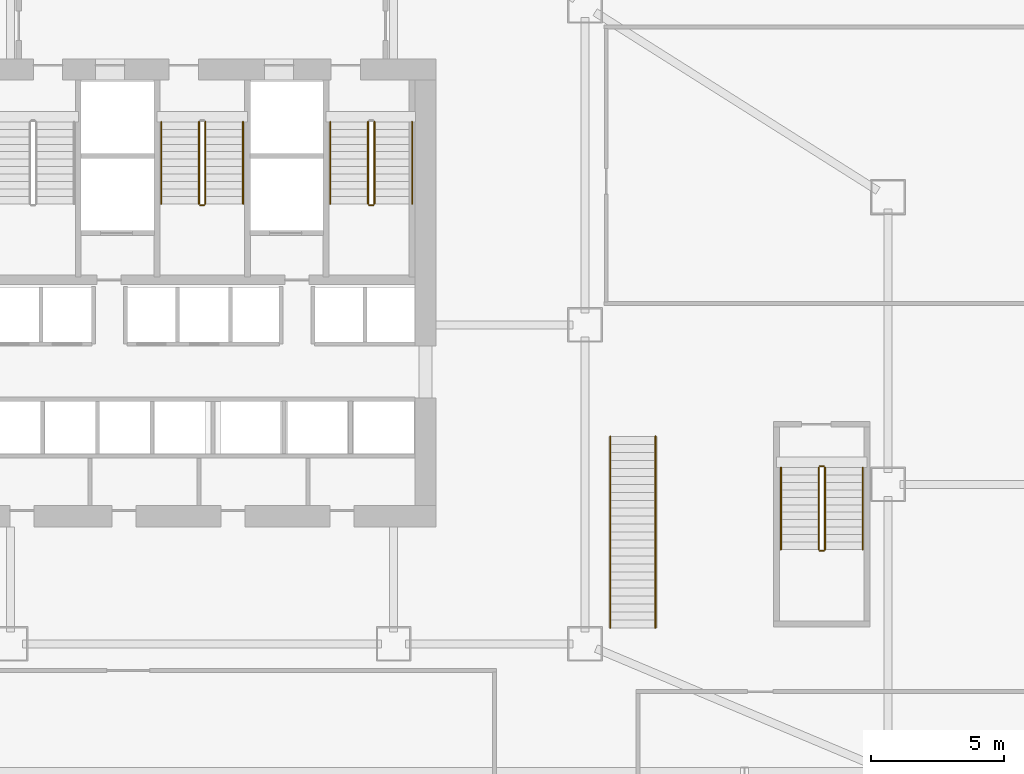
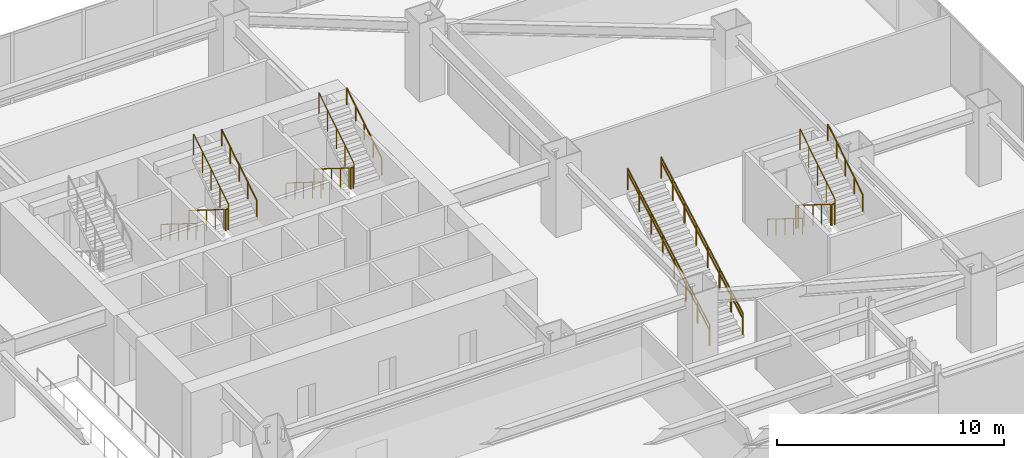
# One storey, part 29 of 32: 20 railings.
"""IFC4 building model written with IfcOpenShell, lengths in metres."""

from ifc_helpers import new_model, si_unit, direction, frame, origin, origin_2d, place, context, subcontext, project, spatial, circle, extrude, material, type_object, element, save


model = new_model("IFC4")

# Units and contexts
model_context = context("Model", 3, precision=1e-05, world=origin(), true_north=direction((0.0, 1.0)))
body_context = subcontext(model_context, "Body", "Model", "MODEL_VIEW")
ifc_project = project(units=[si_unit("LENGTHUNIT", "METRE"), si_unit("AREAUNIT", "SQUARE_METRE"), si_unit("VOLUMEUNIT", "CUBIC_METRE"), si_unit("PLANEANGLEUNIT", "RADIAN"), si_unit("MASSUNIT", "GRAM", prefix="KILO")], contexts=[model_context])

# Site, building, storey
site_placement = place(None, origin())
site = spatial("IfcSite", under=ifc_project, at=site_placement, CompositionType="ELEMENT")
building_placement = place(site_placement, origin())
building = spatial("IfcBuilding", under=site, at=building_placement, Name="Haolan Belvedere Tower", CompositionType="ELEMENT")
storey_placement = place(building_placement, frame((0.0, 0.0, 15.60009765625)))
storey = spatial("IfcBuildingStorey", under=building, at=storey_placement, Name="L03", CompositionType="ELEMENT", Elevation=15.60009765625)

# Railings
ifc_material = material(Name="Brushed stainless steel 304", Category="steel")
railing_type_1 = type_object("IfcRailingType", Name="RL-STAIR-GRD-1150", PredefinedType="GUARDRAIL", material=ifc_material)
railing_1_placement = place(storey_placement, frame((38.280029296875, 41.22998046875, 0.1748046875)))
element("IfcRailing", 1, at=railing_1_placement, inside=storey, type_object=railing_type_1, Name="L03 ST3 stair guard 1", PredefinedType="GUARDRAIL", context=body_context, shape_type="SweptSolid", body=[
    extrude(circle(Radius=0.02392578125, at=origin_2d()), frame((0.0, 0.0, 1.1259765625), z_axis=(0.0, -0.847998304005, 0.529998940003), x_axis=(1.0, 0.0, 0.0)), (0.0, 0.0, 1.0), 3.632080078125),
    extrude(circle(Radius=0.02099609375, at=origin_2d()), origin(), (0.0, 0.0, 1.0), 1.101806640625),
    extrude(circle(Radius=0.02099609375, at=origin_2d()), frame((0.0, -0.77001953125, 0.481201171875)), (0.0, 0.0, 1.0), 1.101806640625),
    extrude(circle(Radius=0.02099609375, at=origin_2d()), frame((0.0, -1.5400390625, 0.96240234375)), (0.0, 0.0, 1.0), 1.101806640625),
    extrude(circle(Radius=0.02099609375, at=origin_2d()), frame((0.0, -2.31005859375, 1.44384765625)), (0.0, 0.0, 1.0), 1.101806640625),
    extrude(circle(Radius=0.02099609375, at=origin_2d()), frame((0.0, -3.080078125, 1.925048828125)), (0.0, 0.0, 1.0), 1.101806640625),
])
railing_2_placement = place(storey_placement, frame((38.330078125, 38.10009765625, 2.099853515625)))
element("IfcRailing", 2, at=railing_2_placement, inside=storey, type_object=railing_type_1, Name="L03 ST3 stair guard 2", PredefinedType="GUARDRAIL", context=body_context, shape_type="SweptSolid", body=[
    extrude(circle(Radius=0.02392578125, at=origin_2d()), frame((0.0, 0.0, 1.1259765625), z_axis=(1.0, 0.0, 0.0), x_axis=(0.0, 1.0, 0.0)), (0.0, 0.0, 1.0), 0.139892578125),
    extrude(circle(Radius=0.02099609375, at=origin_2d()), origin(), (0.0, 0.0, 1.0), 1.101806640625),
    extrude(circle(Radius=0.02099609375, at=origin_2d()), frame((0.139892578125, 0.0, 0.0)), (0.0, 0.0, 1.0), 1.101806640625),
])
railing_3_placement = place(storey_placement, frame((38.52001953125, 38.14990234375, 2.27490234375)))
element("IfcRailing", 3, at=railing_3_placement, inside=storey, type_object=railing_type_1, Name="L03 ST3 stair guard 3", PredefinedType="GUARDRAIL", context=body_context, shape_type="SweptSolid", body=[
    extrude(circle(Radius=0.02392578125, at=origin_2d()), frame((0.0, 0.0, 1.1259765625), z_axis=(0.0, 0.847998304005, 0.529998940003), x_axis=(-1.0, 0.0, 0.0)), (0.0, 0.0, 1.0), 3.632080078125),
    extrude(circle(Radius=0.02099609375, at=origin_2d()), origin(), (0.0, 0.0, 1.0), 1.101806640625),
    extrude(circle(Radius=0.02099609375, at=origin_2d()), frame((0.0, 0.77001953125, 0.481201171875)), (0.0, 0.0, 1.0), 1.101806640625),
    extrude(circle(Radius=0.02099609375, at=origin_2d()), frame((0.0, 1.5400390625, 0.96240234375)), (0.0, 0.0, 1.0), 1.101806640625),
    extrude(circle(Radius=0.02099609375, at=origin_2d()), frame((0.0, 2.31005859375, 1.44384765625)), (0.0, 0.0, 1.0), 1.101806640625),
    extrude(circle(Radius=0.02099609375, at=origin_2d()), frame((0.0, 3.080078125, 1.925048828125)), (0.0, 0.0, 1.0), 1.101806640625),
])
railing_4_placement = place(storey_placement, frame((44.639892578125, 41.22998046875, 0.1748046875)))
element("IfcRailing", 4, at=railing_4_placement, inside=storey, type_object=railing_type_1, Name="L03 ST2 stair guard 1", PredefinedType="GUARDRAIL", context=body_context, shape_type="SweptSolid", body=[
    extrude(circle(Radius=0.02392578125, at=origin_2d()), frame((0.0, 0.0, 1.1259765625), z_axis=(0.0, -0.847998304005, 0.529998940003), x_axis=(1.0, 0.0, 0.0)), (0.0, 0.0, 1.0), 3.632080078125),
    extrude(circle(Radius=0.02099609375, at=origin_2d()), origin(), (0.0, 0.0, 1.0), 1.101806640625),
    extrude(circle(Radius=0.02099609375, at=origin_2d()), frame((0.0, -0.77001953125, 0.481201171875)), (0.0, 0.0, 1.0), 1.101806640625),
    extrude(circle(Radius=0.02099609375, at=origin_2d()), frame((0.0, -1.5400390625, 0.96240234375)), (0.0, 0.0, 1.0), 1.101806640625),
    extrude(circle(Radius=0.02099609375, at=origin_2d()), frame((0.0, -2.31005859375, 1.44384765625)), (0.0, 0.0, 1.0), 1.101806640625),
    extrude(circle(Radius=0.02099609375, at=origin_2d()), frame((0.0, -3.080078125, 1.925048828125)), (0.0, 0.0, 1.0), 1.101806640625),
])
railing_5_placement = place(storey_placement, frame((44.68994140625, 38.10009765625, 2.099853515625)))
element("IfcRailing", 5, at=railing_5_placement, inside=storey, type_object=railing_type_1, Name="L03 ST2 stair guard 2", PredefinedType="GUARDRAIL", context=body_context, shape_type="SweptSolid", body=[
    extrude(circle(Radius=0.02392578125, at=origin_2d()), frame((0.0, 0.0, 1.1259765625), z_axis=(1.0, 0.0, 0.0), x_axis=(0.0, 1.0, 0.0)), (0.0, 0.0, 1.0), 0.14013671875),
    extrude(circle(Radius=0.02099609375, at=origin_2d()), origin(), (0.0, 0.0, 1.0), 1.101806640625),
    extrude(circle(Radius=0.02099609375, at=origin_2d()), frame((0.14013671875, 0.0, 0.0)), (0.0, 0.0, 1.0), 1.101806640625),
])
railing_6_placement = place(storey_placement, frame((44.8798828125, 38.14990234375, 2.27490234375)))
element("IfcRailing", 6, at=railing_6_placement, inside=storey, type_object=railing_type_1, Name="L03 ST2 stair guard 3", PredefinedType="GUARDRAIL", context=body_context, shape_type="SweptSolid", body=[
    extrude(circle(Radius=0.02392578125, at=origin_2d()), frame((0.0, 0.0, 1.1259765625), z_axis=(0.0, 0.847998304005, 0.529998940003), x_axis=(-1.0, 0.0, 0.0)), (0.0, 0.0, 1.0), 3.632080078125),
    extrude(circle(Radius=0.02099609375, at=origin_2d()), origin(), (0.0, 0.0, 1.0), 1.101806640625),
    extrude(circle(Radius=0.02099609375, at=origin_2d()), frame((0.0, 0.77001953125, 0.481201171875)), (0.0, 0.0, 1.0), 1.101806640625),
    extrude(circle(Radius=0.02099609375, at=origin_2d()), frame((0.0, 1.5400390625, 0.96240234375)), (0.0, 0.0, 1.0), 1.101806640625),
    extrude(circle(Radius=0.02099609375, at=origin_2d()), frame((0.0, 2.31005859375, 1.44384765625)), (0.0, 0.0, 1.0), 1.101806640625),
    extrude(circle(Radius=0.02099609375, at=origin_2d()), frame((0.0, 3.080078125, 1.925048828125)), (0.0, 0.0, 1.0), 1.101806640625),
])
railing_7_placement = place(storey_placement, frame((61.590087890625, 28.22998046875, 0.1748046875)))
element("IfcRailing", 7, at=railing_7_placement, inside=storey, type_object=railing_type_1, Name="L03 ST5 stair guard 1", PredefinedType="GUARDRAIL", context=body_context, shape_type="SweptSolid", body=[
    extrude(circle(Radius=0.02392578125, at=origin_2d()), frame((0.0, 0.0, 1.1259765625), z_axis=(0.0, -0.847998304005, 0.529998940003), x_axis=(1.0, 0.0, 0.0)), (0.0, 0.0, 1.0), 3.632080078125),
    extrude(circle(Radius=0.02099609375, at=origin_2d()), origin(), (0.0, 0.0, 1.0), 1.101806640625),
    extrude(circle(Radius=0.02099609375, at=origin_2d()), frame((0.0, -0.77001953125, 0.481201171875)), (0.0, 0.0, 1.0), 1.101806640625),
    extrude(circle(Radius=0.02099609375, at=origin_2d()), frame((0.0, -1.5400390625, 0.96240234375)), (0.0, 0.0, 1.0), 1.101806640625),
    extrude(circle(Radius=0.02099609375, at=origin_2d()), frame((0.0, -2.31005859375, 1.44384765625)), (0.0, 0.0, 1.0), 1.101806640625),
    extrude(circle(Radius=0.02099609375, at=origin_2d()), frame((0.0, -3.080078125, 1.925048828125)), (0.0, 0.0, 1.0), 1.101806640625),
])
railing_8_placement = place(storey_placement, frame((61.639892578125, 25.10009765625, 2.099853515625)))
element("IfcRailing", 8, at=railing_8_placement, inside=storey, type_object=railing_type_1, Name="L03 ST5 stair guard 2", PredefinedType="GUARDRAIL", context=body_context, shape_type="SweptSolid", body=[
    extrude(circle(Radius=0.02392578125, at=origin_2d()), frame((0.0, 0.0, 1.1259765625), z_axis=(1.0, 0.0, 0.0), x_axis=(0.0, 1.0, 0.0)), (0.0, 0.0, 1.0), 0.14013671875),
    extrude(circle(Radius=0.02099609375, at=origin_2d()), origin(), (0.0, 0.0, 1.0), 1.101806640625),
    extrude(circle(Radius=0.02099609375, at=origin_2d()), frame((0.14013671875, 0.0, 0.0)), (0.0, 0.0, 1.0), 1.101806640625),
])
railing_9_placement = place(storey_placement, frame((61.830078125, 25.14990234375, 2.27490234375)))
element("IfcRailing", 9, at=railing_9_placement, inside=storey, type_object=railing_type_1, Name="L03 ST5 stair guard 3", PredefinedType="GUARDRAIL", context=body_context, shape_type="SweptSolid", body=[
    extrude(circle(Radius=0.02392578125, at=origin_2d()), frame((0.0, 0.0, 1.1259765625), z_axis=(0.0, 0.847998304005, 0.529998940003), x_axis=(-1.0, 0.0, 0.0)), (0.0, 0.0, 1.0), 3.632080078125),
    extrude(circle(Radius=0.02099609375, at=origin_2d()), origin(), (0.0, 0.0, 1.0), 1.101806640625),
    extrude(circle(Radius=0.02099609375, at=origin_2d()), frame((0.0, 0.77001953125, 0.481201171875)), (0.0, 0.0, 1.0), 1.101806640625),
    extrude(circle(Radius=0.02099609375, at=origin_2d()), frame((0.0, 1.5400390625, 0.96240234375)), (0.0, 0.0, 1.0), 1.101806640625),
    extrude(circle(Radius=0.02099609375, at=origin_2d()), frame((0.0, 2.31005859375, 1.44384765625)), (0.0, 0.0, 1.0), 1.101806640625),
    extrude(circle(Radius=0.02099609375, at=origin_2d()), frame((0.0, 3.080078125, 1.925048828125)), (0.0, 0.0, 1.0), 1.101806640625),
])
railing_10_placement = place(storey_placement, frame((61.639892578125, 28.280029296875, 0.0)))
element("IfcRailing", 10, at=railing_10_placement, inside=storey, type_object=railing_type_1, Name="L03 ST5 stair guard 4", PredefinedType="GUARDRAIL", context=body_context, shape_type="SweptSolid", body=[
    extrude(circle(Radius=0.02392578125, at=origin_2d()), frame((0.0, 0.0, 1.1259765625), z_axis=(1.0, 0.0, 0.0), x_axis=(0.0, 1.0, 0.0)), (0.0, 0.0, 1.0), 0.14013671875),
    extrude(circle(Radius=0.02099609375, at=origin_2d()), origin(), (0.0, 0.0, 1.0), 1.101806640625),
    extrude(circle(Radius=0.02099609375, at=origin_2d()), frame((0.14013671875, 0.0, 0.0)), (0.0, 0.0, 1.0), 1.101806640625),
])
for number, where, name in (
    (11, (53.75, 22.199951171875, 0.16796875), "L03 ST9 flight guard 1"),
    (12, (55.449951171875, 22.199951171875, 0.16796875), "L03 ST9 flight guard 2"),
):
    element("IfcRailing", number, at=place(storey_placement, frame(where)), inside=storey, type_object=railing_type_1, Name=name, PredefinedType="GUARDRAIL", context=body_context, shape_type="SweptSolid", body=[
        extrude(circle(Radius=0.02392578125, at=origin_2d()), frame((0.0, 0.0, 1.1259765625), z_axis=(0.0, 0.872505511446, 0.488604269829), x_axis=(-1.0, 0.0, 0.0)), (0.0, 0.0, 1.0), 8.251953125),
        extrude(circle(Radius=0.02099609375, at=origin_2d()), origin(), (0.0, 0.0, 1.0), 1.101806640625),
        extrude(circle(Radius=0.02099609375, at=origin_2d()), frame((0.0, 1.028564453125, 0.575927734375)), (0.0, 0.0, 1.0), 1.101806640625),
        extrude(circle(Radius=0.02099609375, at=origin_2d()), frame((0.0, 2.05712890625, 1.152099609375)), (0.0, 0.0, 1.0), 1.101806640625),
        extrude(circle(Radius=0.02099609375, at=origin_2d()), frame((0.0, 3.085693359375, 1.72802734375)), (0.0, 0.0, 1.0), 1.101806640625),
        extrude(circle(Radius=0.02099609375, at=origin_2d()), frame((0.0, 4.1142578125, 2.303955078125)), (0.0, 0.0, 1.0), 1.101806640625),
        extrude(circle(Radius=0.02099609375, at=origin_2d()), frame((0.0, 5.142822265625, 2.8798828125)), (0.0, 0.0, 1.0), 1.101806640625),
        extrude(circle(Radius=0.02099609375, at=origin_2d()), frame((0.0, 6.17138671875, 3.4560546875)), (0.0, 0.0, 1.0), 1.101806640625),
        extrude(circle(Radius=0.02099609375, at=origin_2d()), frame((0.0, 7.199951171875, 4.031982421875)), (0.0, 0.0, 1.0), 1.101806640625),
    ])
railing_type_2 = type_object("IfcRailingType", Name="RL-STAIR-HND-900", PredefinedType="HANDRAIL", material=ifc_material)
railing_11_placement = place(storey_placement, frame((36.860107421875, 41.22998046875, 0.1748046875)))
element("IfcRailing", 13, at=railing_11_placement, inside=storey, type_object=railing_type_2, Name="L03 ST3 stair handrail 1", PredefinedType="HANDRAIL", context=body_context, shape_type="SweptSolid", body=[
    extrude(circle(Radius=0.02392578125, at=origin_2d()), frame((0.0, 0.0, 0.8759765625), z_axis=(0.0, -0.847998304005, 0.529998940003), x_axis=(1.0, 0.0, 0.0)), (0.0, 0.0, 1.0), 3.632080078125),
    extrude(circle(Radius=0.02099609375, at=origin_2d()), origin(), (0.0, 0.0, 1.0), 0.851806640625),
    extrude(circle(Radius=0.02099609375, at=origin_2d()), frame((0.0, -0.77001953125, 0.481201171875)), (0.0, 0.0, 1.0), 0.851806640625),
    extrude(circle(Radius=0.02099609375, at=origin_2d()), frame((0.0, -1.5400390625, 0.96240234375)), (0.0, 0.0, 1.0), 0.851806640625),
    extrude(circle(Radius=0.02099609375, at=origin_2d()), frame((0.0, -2.31005859375, 1.44384765625)), (0.0, 0.0, 1.0), 0.851806640625),
    extrude(circle(Radius=0.02099609375, at=origin_2d()), frame((0.0, -3.080078125, 1.925048828125)), (0.0, 0.0, 1.0), 0.851806640625),
])
railing_12_placement = place(storey_placement, frame((39.93994140625, 38.14990234375, 2.27490234375)))
element("IfcRailing", 14, at=railing_12_placement, inside=storey, type_object=railing_type_2, Name="L03 ST3 stair handrail 2", PredefinedType="HANDRAIL", context=body_context, shape_type="SweptSolid", body=[
    extrude(circle(Radius=0.02392578125, at=origin_2d()), frame((0.0, 0.0, 0.8759765625), z_axis=(0.0, 0.847998304005, 0.529998940003), x_axis=(-1.0, 0.0, 0.0)), (0.0, 0.0, 1.0), 3.632080078125),
    extrude(circle(Radius=0.02099609375, at=origin_2d()), origin(), (0.0, 0.0, 1.0), 0.851806640625),
    extrude(circle(Radius=0.02099609375, at=origin_2d()), frame((0.0, 0.77001953125, 0.481201171875)), (0.0, 0.0, 1.0), 0.851806640625),
    extrude(circle(Radius=0.02099609375, at=origin_2d()), frame((0.0, 1.5400390625, 0.96240234375)), (0.0, 0.0, 1.0), 0.851806640625),
    extrude(circle(Radius=0.02099609375, at=origin_2d()), frame((0.0, 2.31005859375, 1.44384765625)), (0.0, 0.0, 1.0), 0.851806640625),
    extrude(circle(Radius=0.02099609375, at=origin_2d()), frame((0.0, 3.080078125, 1.925048828125)), (0.0, 0.0, 1.0), 0.851806640625),
])
railing_13_placement = place(storey_placement, frame((43.219970703125, 41.22998046875, 0.1748046875)))
element("IfcRailing", 15, at=railing_13_placement, inside=storey, type_object=railing_type_2, Name="L03 ST2 stair handrail 1", PredefinedType="HANDRAIL", context=body_context, shape_type="SweptSolid", body=[
    extrude(circle(Radius=0.02392578125, at=origin_2d()), frame((0.0, 0.0, 0.8759765625), z_axis=(0.0, -0.847998304005, 0.529998940003), x_axis=(1.0, 0.0, 0.0)), (0.0, 0.0, 1.0), 3.632080078125),
    extrude(circle(Radius=0.02099609375, at=origin_2d()), origin(), (0.0, 0.0, 1.0), 0.851806640625),
    extrude(circle(Radius=0.02099609375, at=origin_2d()), frame((0.0, -0.77001953125, 0.481201171875)), (0.0, 0.0, 1.0), 0.851806640625),
    extrude(circle(Radius=0.02099609375, at=origin_2d()), frame((0.0, -1.5400390625, 0.96240234375)), (0.0, 0.0, 1.0), 0.851806640625),
    extrude(circle(Radius=0.02099609375, at=origin_2d()), frame((0.0, -2.31005859375, 1.44384765625)), (0.0, 0.0, 1.0), 0.851806640625),
    extrude(circle(Radius=0.02099609375, at=origin_2d()), frame((0.0, -3.080078125, 1.925048828125)), (0.0, 0.0, 1.0), 0.851806640625),
])
railing_14_placement = place(storey_placement, frame((46.300048828125, 38.14990234375, 2.27490234375)))
element("IfcRailing", 16, at=railing_14_placement, inside=storey, type_object=railing_type_2, Name="L03 ST2 stair handrail 2", PredefinedType="HANDRAIL", context=body_context, shape_type="SweptSolid", body=[
    extrude(circle(Radius=0.02392578125, at=origin_2d()), frame((0.0, 0.0, 0.8759765625), z_axis=(0.0, 0.847998304005, 0.529998940003), x_axis=(-1.0, 0.0, 0.0)), (0.0, 0.0, 1.0), 3.632080078125),
    extrude(circle(Radius=0.02099609375, at=origin_2d()), origin(), (0.0, 0.0, 1.0), 0.851806640625),
    extrude(circle(Radius=0.02099609375, at=origin_2d()), frame((0.0, 0.77001953125, 0.481201171875)), (0.0, 0.0, 1.0), 0.851806640625),
    extrude(circle(Radius=0.02099609375, at=origin_2d()), frame((0.0, 1.5400390625, 0.96240234375)), (0.0, 0.0, 1.0), 0.851806640625),
    extrude(circle(Radius=0.02099609375, at=origin_2d()), frame((0.0, 2.31005859375, 1.44384765625)), (0.0, 0.0, 1.0), 0.851806640625),
    extrude(circle(Radius=0.02099609375, at=origin_2d()), frame((0.0, 3.080078125, 1.925048828125)), (0.0, 0.0, 1.0), 0.851806640625),
])
railing_15_placement = place(storey_placement, frame((60.169921875, 28.22998046875, 0.1748046875)))
element("IfcRailing", 17, at=railing_15_placement, inside=storey, type_object=railing_type_2, Name="L03 ST5 stair handrail 1", PredefinedType="HANDRAIL", context=body_context, shape_type="SweptSolid", body=[
    extrude(circle(Radius=0.02392578125, at=origin_2d()), frame((0.0, 0.0, 0.8759765625), z_axis=(0.0, -0.847998304005, 0.529998940003), x_axis=(1.0, 0.0, 0.0)), (0.0, 0.0, 1.0), 3.632080078125),
    extrude(circle(Radius=0.02099609375, at=origin_2d()), origin(), (0.0, 0.0, 1.0), 0.851806640625),
    extrude(circle(Radius=0.02099609375, at=origin_2d()), frame((0.0, -0.77001953125, 0.481201171875)), (0.0, 0.0, 1.0), 0.851806640625),
    extrude(circle(Radius=0.02099609375, at=origin_2d()), frame((0.0, -1.5400390625, 0.96240234375)), (0.0, 0.0, 1.0), 0.851806640625),
    extrude(circle(Radius=0.02099609375, at=origin_2d()), frame((0.0, -2.31005859375, 1.44384765625)), (0.0, 0.0, 1.0), 0.851806640625),
    extrude(circle(Radius=0.02099609375, at=origin_2d()), frame((0.0, -3.080078125, 1.925048828125)), (0.0, 0.0, 1.0), 0.851806640625),
])
railing_16_placement = place(storey_placement, frame((63.25, 25.14990234375, 2.27490234375)))
element("IfcRailing", 18, at=railing_16_placement, inside=storey, type_object=railing_type_2, Name="L03 ST5 stair handrail 2", PredefinedType="HANDRAIL", context=body_context, shape_type="SweptSolid", body=[
    extrude(circle(Radius=0.02392578125, at=origin_2d()), frame((0.0, 0.0, 0.8759765625), z_axis=(0.0, 0.847998304005, 0.529998940003), x_axis=(-1.0, 0.0, 0.0)), (0.0, 0.0, 1.0), 3.632080078125),
    extrude(circle(Radius=0.02099609375, at=origin_2d()), origin(), (0.0, 0.0, 1.0), 0.851806640625),
    extrude(circle(Radius=0.02099609375, at=origin_2d()), frame((0.0, 0.77001953125, 0.481201171875)), (0.0, 0.0, 1.0), 0.851806640625),
    extrude(circle(Radius=0.02099609375, at=origin_2d()), frame((0.0, 1.5400390625, 0.96240234375)), (0.0, 0.0, 1.0), 0.851806640625),
    extrude(circle(Radius=0.02099609375, at=origin_2d()), frame((0.0, 2.31005859375, 1.44384765625)), (0.0, 0.0, 1.0), 0.851806640625),
    extrude(circle(Radius=0.02099609375, at=origin_2d()), frame((0.0, 3.080078125, 1.925048828125)), (0.0, 0.0, 1.0), 0.851806640625),
])
for number, where, name in (
    (19, (53.75, 22.239990234375, 0.16796875), "L03 ST9 handrail 1"),
    (20, (55.449951171875, 22.239990234375, 0.16796875), "L03 ST9 handrail 2"),
):
    element("IfcRailing", number, at=place(storey_placement, frame(where)), inside=storey, type_object=railing_type_2, Name=name, PredefinedType="HANDRAIL", context=body_context, shape_type="SweptSolid", body=[
        extrude(circle(Radius=0.02392578125, at=origin_2d()), frame((0.0, 0.0, 0.8759765625), z_axis=(0.0, 0.871339774758, 0.49068013708), x_axis=(-1.0, 0.0, 0.0)), (0.0, 0.0, 1.0), 8.217041015625),
        extrude(circle(Radius=0.02099609375, at=origin_2d()), origin(), (0.0, 0.0, 1.0), 0.851806640625),
        extrude(circle(Radius=0.02099609375, at=origin_2d()), frame((0.0, 1.02294921875, 0.575927734375)), (0.0, 0.0, 1.0), 0.851806640625),
        extrude(circle(Radius=0.02099609375, at=origin_2d()), frame((0.0, 2.045654296875, 1.152099609375)), (0.0, 0.0, 1.0), 0.851806640625),
        extrude(circle(Radius=0.02099609375, at=origin_2d()), frame((0.0, 3.068603515625, 1.72802734375)), (0.0, 0.0, 1.0), 0.851806640625),
        extrude(circle(Radius=0.02099609375, at=origin_2d()), frame((0.0, 4.09130859375, 2.303955078125)), (0.0, 0.0, 1.0), 0.851806640625),
        extrude(circle(Radius=0.02099609375, at=origin_2d()), frame((0.0, 5.1142578125, 2.8798828125)), (0.0, 0.0, 1.0), 0.851806640625),
        extrude(circle(Radius=0.02099609375, at=origin_2d()), frame((0.0, 6.136962890625, 3.4560546875)), (0.0, 0.0, 1.0), 0.851806640625),
        extrude(circle(Radius=0.02099609375, at=origin_2d()), frame((0.0, 7.159912109375, 4.031982421875)), (0.0, 0.0, 1.0), 0.851806640625),
    ])

save(model, "model.ifc")
